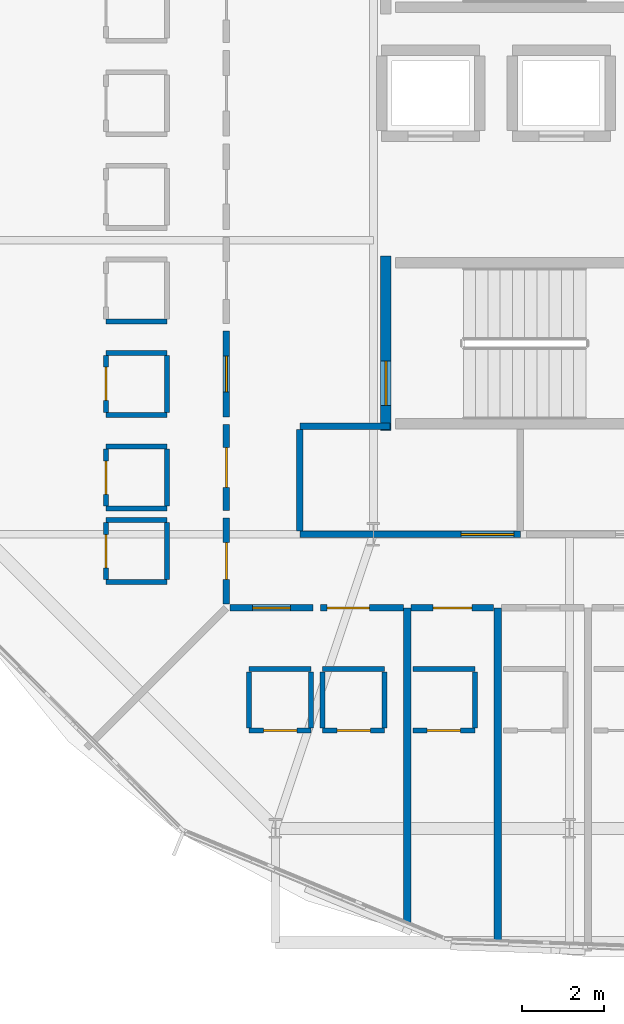
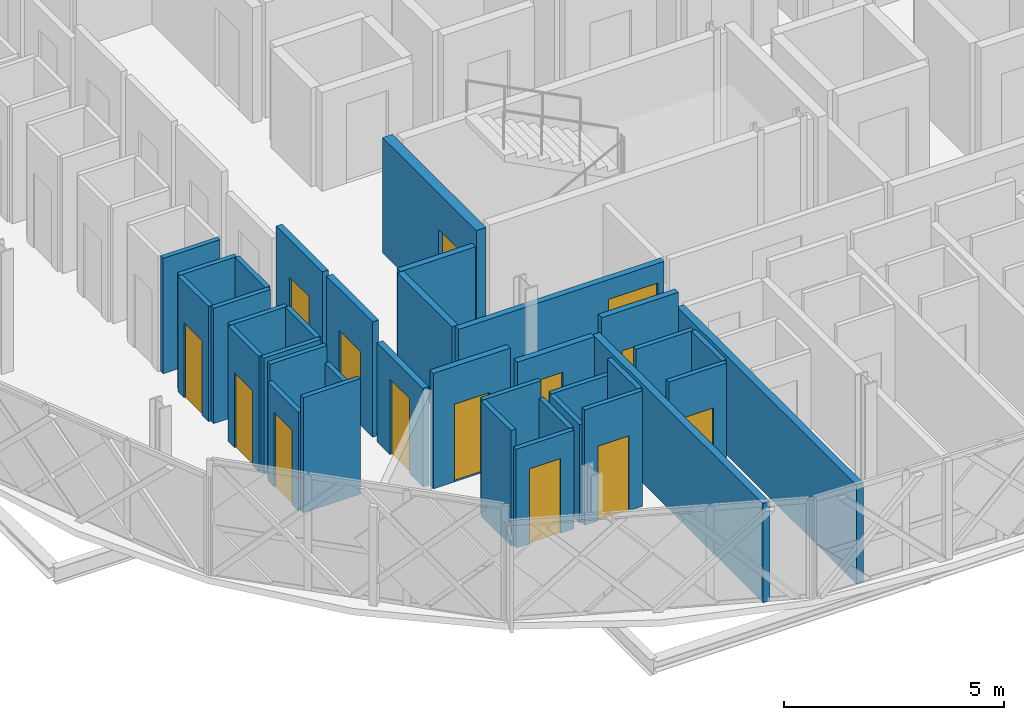
# One storey, part 28 of 40: 36 walls, 14 doors, 14 openings.
"""IFC4 building model written with IfcOpenShell, lengths in metres."""

from ifc_helpers import new_model, si_unit, direction, frame, frame_2d, origin, place, context, subcontext, project, spatial, rectangle, extrude, material, layer, layer_set, type_object, element, fill, save


model = new_model("IFC4")

# Units and contexts
model_context = context("Model", 3, precision=1e-05, world=origin(), true_north=direction((0.0, 1.0)))
body_context = subcontext(model_context, "Body", "Model", "MODEL_VIEW")
ifc_project = project(units=[si_unit("LENGTHUNIT", "METRE"), si_unit("AREAUNIT", "SQUARE_METRE"), si_unit("VOLUMEUNIT", "CUBIC_METRE"), si_unit("PLANEANGLEUNIT", "RADIAN"), si_unit("MASSUNIT", "GRAM", prefix="KILO")], contexts=[model_context])

# Site, building, storey
site_placement = place(None, origin())
site = spatial("IfcSite", under=ifc_project, at=site_placement, CompositionType="ELEMENT")
building_placement = place(site_placement, origin())
building = spatial("IfcBuilding", under=site, at=building_placement, Name="Zevrakil Square Congress Hotel", CompositionType="ELEMENT")
storey_placement = place(building_placement, frame((0.0, 0.0, 18.10009765625)))
storey = spatial("IfcBuildingStorey", under=building, at=storey_placement, Name="L05", CompositionType="ELEMENT", Elevation=18.10009765625)

# Wall, opening, door
ifc_material_1 = material(Name="Gypsum Acoustic Stud Partition")
ifc_layer_1 = layer(ifc_material_1, 0.159912109375)
ifc_layer_set_1 = layer_set([ifc_layer_1], Name="Gypsum Acoustic Stud Partition")
wall_type_1 = type_object("IfcWallType", Name="WAL-CORR-160", PredefinedType="PARTITIONING", material=ifc_layer_set_1)
wall_1_placement = place(storey_placement, frame((135.0, 16.800048828125, 0.0), z_axis=(0.0, 0.0, 1.0), x_axis=(1.0, 0.0, 0.0)))
wall_1 = element("IfcWall", 1, at=wall_1_placement, inside=storey, type_object=wall_type_1, Name="L05 interior partition PW-L05-0458", PredefinedType="PARTITIONING", context=body_context, shape_type="SweptSolid", body=[
    extrude(rectangle(XDim=5.39990234375, YDim=0.159912109375, at=frame_2d((2.699951171875, 0.0))), origin(), (0.0, 0.0, 1.0), 2.744873046875),
])
opening_1_placement = place(wall_1_placement, frame((3.93994140625, 0.0, 0.0)))
opening_1 = element("IfcOpeningElement", 2, at=opening_1_placement, cuts=wall_1, Name="Opening ID-08", PredefinedType="OPENING", context=body_context, shape_type="SweptSolid", body=[
    extrude(rectangle(XDim=1.300048828125, YDim=2.199951171875, at=frame_2d((0.64990234375, 1.10009765625))), frame((0.0, 0.08984375, 0.0), z_axis=(0.0, -1.0, 0.0), x_axis=(1.0, 0.0, 0.0)), (0.0, 0.0, 1.0), 0.179931640625),
])
ifc_material_2 = material(Name="Service Corridor Leaf-and-Half Door")
door_type_1 = type_object("IfcDoorType", Name="DOR-BOH-130", OperationType="NOTDEFINED", PredefinedType="DOOR", material=ifc_material_2)
door_1_placement = place(opening_1_placement, origin())
door_1 = element("IfcDoor", 3, at=door_1_placement, inside=storey, type_object=door_type_1, Name="L05 interior door 186", OperationType="SINGLE_SWING_RIGHT", OverallHeight=2.199951171875, OverallWidth=1.300048828125, PredefinedType="DOOR", context=body_context, shape_type="SweptSolid", body=[
    extrude(rectangle(XDim=1.300048828125, YDim=2.199951171875, at=frame_2d((0.64990234375, 1.10009765625))), frame((0.0, 0.02490234375, 0.0), z_axis=(0.0, -1.0, 0.0), x_axis=(1.0, 0.0, 0.0)), (0.0, 0.0, 1.0), 0.050048828125),
])
fill(opening_1, door_1)

# Walls
wall_2_placement = place(storey_placement, frame((135.0, 16.885009765625, 0.0), z_axis=(0.0, 0.0, 1.0), x_axis=(0.0, 1.0, 0.0)))
element("IfcWall", 4, at=wall_2_placement, inside=storey, type_object=wall_type_1, Name="L05 interior partition PW-L05-0459", PredefinedType="PARTITIONING", context=body_context, shape_type="SweptSolid", body=[
    extrude(rectangle(XDim=2.47998046875, YDim=0.159912109375, at=frame_2d((1.239990234375, 0.0))), origin(), (0.0, 0.0, 1.0), 2.744873046875),
])
wall_3_placement = place(storey_placement, frame((135.0, 19.449951171875, 0.0), z_axis=(0.0, 0.0, 1.0), x_axis=(1.0, 0.0, 0.0)))
element("IfcWall", 5, at=wall_3_placement, inside=storey, type_object=wall_type_1, Name="L05 interior partition PW-L05-0461", PredefinedType="PARTITIONING", context=body_context, shape_type="SweptSolid", body=[
    extrude(rectangle(XDim=2.199951171875, YDim=0.159912109375, at=frame_2d((1.10009765625, 0.0))), origin(), (0.0, 0.0, 1.0), 2.744873046875),
])

# Wall, opening, door
wall_4_placement = place(storey_placement, frame((133.294921875, 15.0, 0.0), z_axis=(0.0, 0.0, 1.0), x_axis=(1.0, 0.0, 0.0)))
wall_4 = element("IfcWall", 6, at=wall_4_placement, inside=storey, type_object=wall_type_1, Name="L05 interior partition PW-L05-0477", PredefinedType="PARTITIONING", context=body_context, shape_type="SweptSolid", body=[
    extrude(rectangle(XDim=2.023681640625, YDim=0.159912109375, at=frame_2d((1.01171875, 0.0))), origin(), (0.0, 0.0, 1.0), 3.2099609375),
])
opening_2_placement = place(wall_4_placement, frame((0.5498046875, 0.0, 0.0)))
opening_2 = element("IfcOpeningElement", 7, at=opening_2_placement, cuts=wall_4, Name="Opening ID-H07", PredefinedType="OPENING", context=body_context, shape_type="SweptSolid", body=[
    extrude(rectangle(XDim=0.924072265625, YDim=2.159912109375, at=frame_2d((0.4619140625, 1.080078125))), frame((0.0, 0.08984375, 0.0), z_axis=(0.0, -1.0, 0.0), x_axis=(1.0, 0.0, 0.0)), (0.0, 0.0, 1.0), 0.179931640625),
])
ifc_material_3 = material(Name="Acoustic Timber Fire Door", Category="wood")
door_type_2 = type_object("IfcDoorType", Name="DOR-INT-H07", OperationType="NOTDEFINED", PredefinedType="DOOR", material=ifc_material_3)
door_2_placement = place(opening_2_placement, origin())
door_2 = element("IfcDoor", 8, at=door_2_placement, inside=storey, type_object=door_type_2, Name="L05 interior door 192", OperationType="SINGLE_SWING_RIGHT", OverallHeight=2.159912109375, OverallWidth=0.924072265625, PredefinedType="DOOR", context=body_context, shape_type="SweptSolid", body=[
    extrude(rectangle(XDim=0.924072265625, YDim=2.159912109375, at=frame_2d((0.4619140625, 1.080078125))), frame((0.0, 0.02490234375, 0.0), z_axis=(0.0, -1.0, 0.0), x_axis=(1.0, 0.0, 0.0)), (0.0, 0.0, 1.0), 0.050048828125),
])
fill(opening_2, door_2)

wall_5_placement = place(storey_placement, frame((135.508544921875, 15.0, 0.0), z_axis=(0.0, 0.0, 1.0), x_axis=(1.0, 0.0, 0.0)))
wall_5 = element("IfcWall", 9, at=wall_5_placement, inside=storey, type_object=wall_type_1, Name="L05 interior partition PW-L05-0483", PredefinedType="PARTITIONING", context=body_context, shape_type="SweptSolid", body=[
    extrude(rectangle(XDim=2.023681640625, YDim=0.159912109375, at=frame_2d((1.01171875, 0.0))), origin(), (0.0, 0.0, 1.0), 2.744873046875),
])
opening_3_placement = place(wall_5_placement, frame((0.159912109375, 0.0, 0.0)))
opening_3 = element("IfcOpeningElement", 10, at=opening_3_placement, cuts=wall_5, Name="Opening ID-G08", PredefinedType="OPENING", context=body_context, shape_type="SweptSolid", body=[
    extrude(rectangle(XDim=1.030029296875, YDim=2.050048828125, at=frame_2d((0.51513671875, 1.02490234375))), frame((0.0, 0.08984375, 0.0), z_axis=(0.0, -1.0, 0.0), x_axis=(1.0, 0.0, 0.0)), (0.0, 0.0, 1.0), 0.179931640625),
])
ifc_material_4 = material(Name="Acoustic Timber Fire Door", Category="wood")
door_type_3 = type_object("IfcDoorType", Name="DOR-INT-G08", OperationType="NOTDEFINED", PredefinedType="DOOR", material=ifc_material_4)
door_3_placement = place(opening_3_placement, origin())
door_3 = element("IfcDoor", 11, at=door_3_placement, inside=storey, type_object=door_type_3, Name="L05 interior door 194", OperationType="SINGLE_SWING_RIGHT", OverallHeight=2.050048828125, OverallWidth=1.030029296875, PredefinedType="DOOR", context=body_context, shape_type="SweptSolid", body=[
    extrude(rectangle(XDim=1.030029296875, YDim=2.050048828125, at=frame_2d((0.51513671875, 1.02490234375))), frame((0.0, 0.02490234375, 0.0), z_axis=(0.0, -1.0, 0.0), x_axis=(1.0, 0.0, 0.0)), (0.0, 0.0, 1.0), 0.050048828125),
])
fill(opening_3, door_3)

wall_6_placement = place(storey_placement, frame((137.722412109375, 15.0, 0.0), z_axis=(0.0, 0.0, 1.0), x_axis=(1.0, 0.0, 0.0)))
wall_6 = element("IfcWall", 12, at=wall_6_placement, inside=storey, type_object=wall_type_1, Name="L05 interior partition PW-L05-0489", PredefinedType="PARTITIONING", context=body_context, shape_type="SweptSolid", body=[
    extrude(rectangle(XDim=2.0234375, YDim=0.159912109375, at=frame_2d((1.01171875, 0.0))), origin(), (0.0, 0.0, 1.0), 3.2099609375),
])
opening_4_placement = place(wall_6_placement, frame((0.537841796875, 0.0, 0.0)))
opening_4 = element("IfcOpeningElement", 13, at=opening_4_placement, cuts=wall_6, Name="Opening ID-H09", PredefinedType="OPENING", context=body_context, shape_type="SweptSolid", body=[
    extrude(rectangle(XDim=0.947998046875, YDim=2.10009765625, at=frame_2d((0.47412109375, 1.050048828125))), frame((0.0, 0.08984375, 0.0), z_axis=(0.0, -1.0, 0.0), x_axis=(1.0, 0.0, 0.0)), (0.0, 0.0, 1.0), 0.179931640625),
])
ifc_material_5 = material(Name="Acoustic Timber Fire Door", Category="wood")
door_type_4 = type_object("IfcDoorType", Name="DOR-INT-H09", OperationType="NOTDEFINED", PredefinedType="DOOR", material=ifc_material_5)
door_4_placement = place(opening_4_placement, origin())
door_4 = element("IfcDoor", 14, at=door_4_placement, inside=storey, type_object=door_type_4, Name="L05 interior door 196", OperationType="SINGLE_SWING_RIGHT", OverallHeight=2.10009765625, OverallWidth=0.947998046875, PredefinedType="DOOR", context=body_context, shape_type="SweptSolid", body=[
    extrude(rectangle(XDim=0.947998046875, YDim=2.10009765625, at=frame_2d((0.47412109375, 1.050048828125))), frame((0.0, 0.02490234375, 0.0), z_axis=(0.0, -1.0, 0.0), x_axis=(1.0, 0.0, 0.0)), (0.0, 0.0, 1.0), 0.050048828125),
])
fill(opening_4, door_4)

wall_7_placement = place(storey_placement, frame((133.199951171875, 19.6767578125, 0.0), z_axis=(0.0, 0.0, 1.0), x_axis=(0.0, 1.0, 0.0)))
wall_7 = element("IfcWall", 15, at=wall_7_placement, inside=storey, type_object=wall_type_1, Name="L05 interior partition PW-L05-0672", PredefinedType="PARTITIONING", context=body_context, shape_type="SweptSolid", body=[
    extrude(rectangle(XDim=2.100830078125, YDim=0.159912109375, at=frame_2d((1.05029296875, 0.0))), origin(), (0.0, 0.0, 1.0), 3.2099609375),
])
opening_5_placement = place(wall_7_placement, frame((0.6123046875, 0.0, 0.0)))
opening_5 = element("IfcOpeningElement", 16, at=opening_5_placement, cuts=wall_7, Name="Opening ID-H03", PredefinedType="OPENING", context=body_context, shape_type="SweptSolid", body=[
    extrude(rectangle(XDim=0.8759765625, YDim=2.159912109375, at=frame_2d((0.43798828125, 1.080078125))), frame((0.0, 0.08984375, 0.0), z_axis=(0.0, -1.0, 0.0), x_axis=(1.0, 0.0, 0.0)), (0.0, 0.0, 1.0), 0.179931640625),
])
ifc_material_6 = material(Name="Acoustic Timber Fire Door", Category="wood")
door_type_5 = type_object("IfcDoorType", Name="DOR-INT-H03", OperationType="NOTDEFINED", PredefinedType="DOOR", material=ifc_material_6)
door_5_placement = place(opening_5_placement, origin())
door_5 = element("IfcDoor", 17, at=door_5_placement, inside=storey, type_object=door_type_5, Name="L05 interior door 268", OperationType="SINGLE_SWING_RIGHT", OverallHeight=2.159912109375, OverallWidth=0.8759765625, PredefinedType="DOOR", context=body_context, shape_type="SweptSolid", body=[
    extrude(rectangle(XDim=0.8759765625, YDim=2.159912109375, at=frame_2d((0.43798828125, 1.080078125))), frame((0.0, 0.02490234375, 0.0), z_axis=(0.0, -1.0, 0.0), x_axis=(1.0, 0.0, 0.0)), (0.0, 0.0, 1.0), 0.050048828125),
])
fill(opening_5, door_5)

wall_8_placement = place(storey_placement, frame((133.199951171875, 17.385986328125, 0.0), z_axis=(0.0, 0.0, 1.0), x_axis=(0.0, 1.0, 0.0)))
wall_8 = element("IfcWall", 18, at=wall_8_placement, inside=storey, type_object=wall_type_1, Name="L05 interior partition PW-L05-0677", PredefinedType="PARTITIONING", context=body_context, shape_type="SweptSolid", body=[
    extrude(rectangle(XDim=2.100830078125, YDim=0.159912109375, at=frame_2d((1.05029296875, 0.0))), origin(), (0.0, 0.0, 1.0), 3.2099609375),
])
opening_6_placement = place(wall_8_placement, frame((0.560302734375, 0.0, 0.0)))
opening_6 = element("IfcOpeningElement", 19, at=opening_6_placement, cuts=wall_8, Name="Opening ID-G06", PredefinedType="OPENING", context=body_context, shape_type="SweptSolid", body=[
    extrude(rectangle(XDim=0.97998046875, YDim=2.050048828125, at=frame_2d((0.489990234375, 1.02490234375))), frame((0.0, 0.08984375, 0.0), z_axis=(0.0, -1.0, 0.0), x_axis=(1.0, 0.0, 0.0)), (0.0, 0.0, 1.0), 0.179931640625),
])
ifc_material_7 = material(Name="Acoustic Timber Fire Door", Category="wood")
door_type_6 = type_object("IfcDoorType", Name="DOR-INT-G06", OperationType="NOTDEFINED", PredefinedType="DOOR", material=ifc_material_7)
door_6_placement = place(opening_6_placement, origin())
door_6 = element("IfcDoor", 20, at=door_6_placement, inside=storey, type_object=door_type_6, Name="L05 interior door 270", OperationType="SINGLE_SWING_RIGHT", OverallHeight=2.050048828125, OverallWidth=0.97998046875, PredefinedType="DOOR", context=body_context, shape_type="SweptSolid", body=[
    extrude(rectangle(XDim=0.97998046875, YDim=2.050048828125, at=frame_2d((0.489990234375, 1.02490234375))), frame((0.0, 0.02490234375, 0.0), z_axis=(0.0, -1.0, 0.0), x_axis=(1.0, 0.0, 0.0)), (0.0, 0.0, 1.0), 0.050048828125),
])
fill(opening_6, door_6)

wall_9_placement = place(storey_placement, frame((133.199951171875, 15.094970703125, 0.0), z_axis=(0.0, 0.0, 1.0), x_axis=(0.0, 1.0, 0.0)))
wall_9 = element("IfcWall", 21, at=wall_9_placement, inside=storey, type_object=wall_type_1, Name="L05 interior partition PW-L05-0682", PredefinedType="PARTITIONING", context=body_context, shape_type="SweptSolid", body=[
    extrude(rectangle(XDim=2.100830078125, YDim=0.159912109375, at=frame_2d((1.05029296875, 0.0))), origin(), (0.0, 0.0, 1.0), 2.744873046875),
])
opening_7_placement = place(wall_9_placement, frame((0.6005859375, 0.0, 0.0)))
opening_7 = element("IfcOpeningElement", 22, at=opening_7_placement, cuts=wall_9, Name="Opening ID-H05", PredefinedType="OPENING", context=body_context, shape_type="SweptSolid", body=[
    extrude(rectangle(XDim=0.89990234375, YDim=2.10009765625, at=frame_2d((0.449951171875, 1.050048828125))), frame((0.0, 0.08984375, 0.0), z_axis=(0.0, -1.0, 0.0), x_axis=(1.0, 0.0, 0.0)), (0.0, 0.0, 1.0), 0.179931640625),
])
ifc_material_8 = material(Name="Acoustic Timber Fire Door", Category="wood")
door_type_7 = type_object("IfcDoorType", Name="DOR-INT-H05", OperationType="NOTDEFINED", PredefinedType="DOOR", material=ifc_material_8)
door_7_placement = place(opening_7_placement, origin())
door_7 = element("IfcDoor", 23, at=door_7_placement, inside=storey, type_object=door_type_7, Name="L05 interior door 272", OperationType="SINGLE_SWING_RIGHT", OverallHeight=2.10009765625, OverallWidth=0.89990234375, PredefinedType="DOOR", context=body_context, shape_type="SweptSolid", body=[
    extrude(rectangle(XDim=0.89990234375, YDim=2.10009765625, at=frame_2d((0.449951171875, 1.050048828125))), frame((0.0, 0.02490234375, 0.0), z_axis=(0.0, -1.0, 0.0), x_axis=(1.0, 0.0, 0.0)), (0.0, 0.0, 1.0), 0.050048828125),
])
fill(opening_7, door_7)

ifc_material_9 = material(Name="Moisture-Resistant Gypsum Partition")
ifc_layer_2 = layer(ifc_material_9, 0.1201171875)
ifc_layer_set_2 = layer_set([ifc_layer_2], Name="Moisture-Resistant Gypsum Partition")
wall_type_2 = type_object("IfcWallType", Name="WAL-ENS-120", PredefinedType="PARTITIONING", material=ifc_layer_set_2)
wall_10_placement = place(storey_placement, frame((133.753662109375, 12.0, 0.0), z_axis=(0.0, 0.0, 1.0), x_axis=(1.0, 0.0, 0.0)))
wall_10 = element("IfcWall", 24, at=wall_10_placement, inside=storey, type_object=wall_type_2, Name="L05 interior partition PW-L05-0478", PredefinedType="PARTITIONING", context=body_context, shape_type="SweptSolid", body=[
    extrude(rectangle(XDim=1.52001953125, YDim=0.1201171875, at=frame_2d((0.760009765625, 0.0))), origin(), (0.0, 0.0, 1.0), 2.744873046875),
])
opening_8_placement = place(wall_10_placement, frame((0.35009765625, 0.0, 0.0)))
opening_8 = element("IfcOpeningElement", 25, at=opening_8_placement, cuts=wall_10, Name="Opening ID-11", PredefinedType="OPENING", context=body_context, shape_type="SweptSolid", body=[
    extrude(rectangle(XDim=0.820068359375, YDim=2.080078125, at=frame_2d((0.41015625, 1.0400390625))), frame((0.0, 0.070068359375, 0.0), z_axis=(0.0, -1.0, 0.0), x_axis=(1.0, 0.0, 0.0)), (0.0, 0.0, 1.0), 0.14013671875),
])
ifc_material_10 = material(Name="Acoustic Timber Door", Category="wood")
door_type_8 = type_object("IfcDoorType", Name="DOR-INT-V01", OperationType="NOTDEFINED", PredefinedType="DOOR", material=ifc_material_10)
door_8_placement = place(opening_8_placement, origin())
door_8 = element("IfcDoor", 26, at=door_8_placement, inside=storey, type_object=door_type_8, Name="L05 interior door 193", OperationType="SINGLE_SWING_LEFT", OverallHeight=2.080078125, OverallWidth=0.820068359375, PredefinedType="DOOR", context=body_context, shape_type="SweptSolid", body=[
    extrude(rectangle(XDim=0.820068359375, YDim=2.080078125, at=frame_2d((0.41015625, 1.0400390625))), frame((0.0, 0.02490234375, 0.0), z_axis=(0.0, -1.0, 0.0), x_axis=(1.0, 0.0, 0.0)), (0.0, 0.0, 1.0), 0.050048828125),
])
fill(opening_8, door_8)

# Walls
wall_11_placement = place(storey_placement, frame((133.753662109375, 13.5, 0.0), z_axis=(0.0, 0.0, 1.0), x_axis=(1.0, 0.0, 0.0)))
element("IfcWall", 27, at=wall_11_placement, inside=storey, type_object=wall_type_2, Name="L05 interior partition PW-L05-0479", PredefinedType="PARTITIONING", context=body_context, shape_type="SweptSolid", body=[
    extrude(rectangle(XDim=1.52001953125, YDim=0.1201171875, at=frame_2d((0.760009765625, 0.0))), origin(), (0.0, 0.0, 1.0), 3.2099609375),
])
wall_12_placement = place(storey_placement, frame((133.753662109375, 12.06494140625, 0.0), z_axis=(0.0, 0.0, 1.0), x_axis=(0.0, 1.0, 0.0)))
element("IfcWall", 28, at=wall_12_placement, inside=storey, type_object=wall_type_2, Name="L05 interior partition PW-L05-0480", PredefinedType="PARTITIONING", context=body_context, shape_type="SweptSolid", body=[
    extrude(rectangle(XDim=1.3701171875, YDim=0.1201171875, at=frame_2d((0.68505859375, 0.0))), origin(), (0.0, 0.0, 1.0), 3.2099609375),
])
wall_13_placement = place(storey_placement, frame((135.273681640625, 12.06494140625, 0.0), z_axis=(0.0, 0.0, 1.0), x_axis=(0.0, 1.0, 0.0)))
element("IfcWall", 29, at=wall_13_placement, inside=storey, type_object=wall_type_2, Name="L05 interior partition PW-L05-0481", PredefinedType="PARTITIONING", context=body_context, shape_type="SweptSolid", body=[
    extrude(rectangle(XDim=1.3701171875, YDim=0.1201171875, at=frame_2d((0.68505859375, 0.0))), origin(), (0.0, 0.0, 1.0), 2.744873046875),
])

# Wall, opening, door
wall_14_placement = place(storey_placement, frame((135.5537109375, 12.0, 0.0), z_axis=(0.0, 0.0, 1.0), x_axis=(1.0, 0.0, 0.0)))
wall_14 = element("IfcWall", 30, at=wall_14_placement, inside=storey, type_object=wall_type_2, Name="L05 interior partition PW-L05-0484", PredefinedType="PARTITIONING", context=body_context, shape_type="SweptSolid", body=[
    extrude(rectangle(XDim=1.519775390625, YDim=0.1201171875, at=frame_2d((0.759765625, 0.0))), origin(), (0.0, 0.0, 1.0), 3.2099609375),
])
opening_9_placement = place(wall_14_placement, frame((0.35009765625, 0.0, 0.0)))
opening_9 = element("IfcOpeningElement", 31, at=opening_9_placement, cuts=wall_14, Name="Opening ID-11", PredefinedType="OPENING", context=body_context, shape_type="SweptSolid", body=[
    extrude(rectangle(XDim=0.820068359375, YDim=2.080078125, at=frame_2d((0.41015625, 1.0400390625))), frame((0.0, 0.070068359375, 0.0), z_axis=(0.0, -1.0, 0.0), x_axis=(1.0, 0.0, 0.0)), (0.0, 0.0, 1.0), 0.14013671875),
])
door_9_placement = place(opening_9_placement, origin())
door_9 = element("IfcDoor", 32, at=door_9_placement, inside=storey, type_object=door_type_8, Name="L05 interior door 195", OperationType="SINGLE_SWING_LEFT", OverallHeight=2.080078125, OverallWidth=0.820068359375, PredefinedType="DOOR", context=body_context, shape_type="SweptSolid", body=[
    extrude(rectangle(XDim=0.820068359375, YDim=2.080078125, at=frame_2d((0.41015625, 1.0400390625))), frame((0.0, 0.02490234375, 0.0), z_axis=(0.0, -1.0, 0.0), x_axis=(1.0, 0.0, 0.0)), (0.0, 0.0, 1.0), 0.050048828125),
])
fill(opening_9, door_9)

# Walls
wall_15_placement = place(storey_placement, frame((135.5537109375, 13.5, 0.0), z_axis=(0.0, 0.0, 1.0), x_axis=(1.0, 0.0, 0.0)))
element("IfcWall", 33, at=wall_15_placement, inside=storey, type_object=wall_type_2, Name="L05 interior partition PW-L05-0485", PredefinedType="PARTITIONING", context=body_context, shape_type="SweptSolid", body=[
    extrude(rectangle(XDim=1.519775390625, YDim=0.1201171875, at=frame_2d((0.759765625, 0.0))), origin(), (0.0, 0.0, 1.0), 2.744873046875),
])
wall_16_placement = place(storey_placement, frame((135.5537109375, 12.06494140625, 0.0), z_axis=(0.0, 0.0, 1.0), x_axis=(0.0, 1.0, 0.0)))
element("IfcWall", 34, at=wall_16_placement, inside=storey, type_object=wall_type_2, Name="L05 interior partition PW-L05-0486", PredefinedType="PARTITIONING", context=body_context, shape_type="SweptSolid", body=[
    extrude(rectangle(XDim=1.3701171875, YDim=0.1201171875, at=frame_2d((0.68505859375, 0.0))), origin(), (0.0, 0.0, 1.0), 2.744873046875),
])
wall_17_placement = place(storey_placement, frame((137.073486328125, 12.06494140625, 0.0), z_axis=(0.0, 0.0, 1.0), x_axis=(0.0, 1.0, 0.0)))
element("IfcWall", 35, at=wall_17_placement, inside=storey, type_object=wall_type_2, Name="L05 interior partition PW-L05-0487", PredefinedType="PARTITIONING", context=body_context, shape_type="SweptSolid", body=[
    extrude(rectangle(XDim=1.3701171875, YDim=0.1201171875, at=frame_2d((0.68505859375, 0.0))), origin(), (0.0, 0.0, 1.0), 3.2099609375),
])

# Wall, opening, door
wall_18_placement = place(storey_placement, frame((137.767333984375, 12.0, 0.0), z_axis=(0.0, 0.0, 1.0), x_axis=(1.0, 0.0, 0.0)))
wall_18 = element("IfcWall", 36, at=wall_18_placement, inside=storey, type_object=wall_type_2, Name="L05 interior partition PW-L05-0490", PredefinedType="PARTITIONING", context=body_context, shape_type="SweptSolid", body=[
    extrude(rectangle(XDim=1.52001953125, YDim=0.1201171875, at=frame_2d((0.760009765625, 0.0))), origin(), (0.0, 0.0, 1.0), 3.2099609375),
])
opening_10_placement = place(wall_18_placement, frame((0.35009765625, 0.0, 0.0)))
opening_10 = element("IfcOpeningElement", 37, at=opening_10_placement, cuts=wall_18, Name="Opening ID-11", PredefinedType="OPENING", context=body_context, shape_type="SweptSolid", body=[
    extrude(rectangle(XDim=0.820068359375, YDim=2.080078125, at=frame_2d((0.41015625, 1.0400390625))), frame((0.0, 0.070068359375, 0.0), z_axis=(0.0, -1.0, 0.0), x_axis=(1.0, 0.0, 0.0)), (0.0, 0.0, 1.0), 0.14013671875),
])
door_10_placement = place(opening_10_placement, origin())
door_10 = element("IfcDoor", 38, at=door_10_placement, inside=storey, type_object=door_type_8, Name="L05 interior door 197", OperationType="SINGLE_SWING_LEFT", OverallHeight=2.080078125, OverallWidth=0.820068359375, PredefinedType="DOOR", context=body_context, shape_type="SweptSolid", body=[
    extrude(rectangle(XDim=0.820068359375, YDim=2.080078125, at=frame_2d((0.41015625, 1.0400390625))), frame((0.0, 0.02490234375, 0.0), z_axis=(0.0, -1.0, 0.0), x_axis=(1.0, 0.0, 0.0)), (0.0, 0.0, 1.0), 0.050048828125),
])
fill(opening_10, door_10)

# Walls
wall_19_placement = place(storey_placement, frame((137.767333984375, 13.5, 0.0), z_axis=(0.0, 0.0, 1.0), x_axis=(1.0, 0.0, 0.0)))
element("IfcWall", 39, at=wall_19_placement, inside=storey, type_object=wall_type_2, Name="L05 interior partition PW-L05-0491", PredefinedType="PARTITIONING", context=body_context, shape_type="SweptSolid", body=[
    extrude(rectangle(XDim=1.52001953125, YDim=0.1201171875, at=frame_2d((0.760009765625, 0.0))), origin(), (0.0, 0.0, 1.0), 3.2099609375),
])
wall_20_placement = place(storey_placement, frame((139.287353515625, 12.06494140625, 0.0), z_axis=(0.0, 0.0, 1.0), x_axis=(0.0, 1.0, 0.0)))
element("IfcWall", 40, at=wall_20_placement, inside=storey, type_object=wall_type_2, Name="L05 interior partition PW-L05-0492", PredefinedType="PARTITIONING", context=body_context, shape_type="SweptSolid", body=[
    extrude(rectangle(XDim=1.3701171875, YDim=0.1201171875, at=frame_2d((0.68505859375, 0.0))), origin(), (0.0, 0.0, 1.0), 3.2099609375),
])
for number, where, z_axis, x_axis, name in (
    (41, (130.25, 22.0126953125, 0.0), (0.0, 0.0, 1.0), (1.0, 0.0, 0.0), "L05 interior partition PW-L05-0668"),
    (42, (130.25, 19.7216796875, 0.0), (0.0, 0.0, 1.0), (1.0, 0.0, 0.0), "L05 interior partition PW-L05-0673"),
    (43, (130.25, 21.24169921875, 0.0), (0.0, 0.0, 1.0), (1.0, 0.0, 0.0), "L05 interior partition PW-L05-0674"),
):
    element("IfcWall", number, at=place(storey_placement, frame(where, z_axis=z_axis, x_axis=x_axis)), inside=storey, type_object=wall_type_2, Name=name, PredefinedType="PARTITIONING", context=body_context, shape_type="SweptSolid", body=[
        extrude(rectangle(XDim=1.5, YDim=0.1201171875, at=frame_2d((0.75, 0.0))), origin(), (0.0, 0.0, 1.0), 3.2099609375),
    ])

# Wall, opening, door
wall_21_placement = place(storey_placement, frame((130.25, 19.786865234375, 0.0), z_axis=(0.0, 0.0, 1.0), x_axis=(0.0, 1.0, 0.0)))
wall_21 = element("IfcWall", 44, at=wall_21_placement, inside=storey, type_object=wall_type_2, Name="L05 interior partition PW-L05-0675", PredefinedType="PARTITIONING", context=body_context, shape_type="SweptSolid", body=[
    extrude(rectangle(XDim=1.389892578125, YDim=0.1201171875, at=frame_2d((0.69482421875, 0.0))), origin(), (0.0, 0.0, 1.0), 3.2099609375),
])
opening_11_placement = place(wall_21_placement, frame((0.284912109375, 0.0, 0.0)))
opening_11 = element("IfcOpeningElement", 45, at=opening_11_placement, cuts=wall_21, Name="Opening ID-11", PredefinedType="OPENING", context=body_context, shape_type="SweptSolid", body=[
    extrude(rectangle(XDim=0.820068359375, YDim=2.080078125, at=frame_2d((0.41015625, 1.0400390625))), frame((0.0, 0.070068359375, 0.0), z_axis=(0.0, -1.0, 0.0), x_axis=(1.0, 0.0, 0.0)), (0.0, 0.0, 1.0), 0.14013671875),
])
door_11_placement = place(opening_11_placement, origin())
door_11 = element("IfcDoor", 46, at=door_11_placement, inside=storey, type_object=door_type_8, Name="L05 interior door 269", OperationType="SINGLE_SWING_LEFT", OverallHeight=2.080078125, OverallWidth=0.820068359375, PredefinedType="DOOR", context=body_context, shape_type="SweptSolid", body=[
    extrude(rectangle(XDim=0.820068359375, YDim=2.080078125, at=frame_2d((0.41015625, 1.0400390625))), frame((0.0, 0.02490234375, 0.0), z_axis=(0.0, -1.0, 0.0), x_axis=(1.0, 0.0, 0.0)), (0.0, 0.0, 1.0), 0.050048828125),
])
fill(opening_11, door_11)

# Walls
wall_22_placement = place(storey_placement, frame((131.75, 19.786865234375, 0.0), z_axis=(0.0, 0.0, 1.0), x_axis=(0.0, 1.0, 0.0)))
element("IfcWall", 47, at=wall_22_placement, inside=storey, type_object=wall_type_2, Name="L05 interior partition PW-L05-0676", PredefinedType="PARTITIONING", context=body_context, shape_type="SweptSolid", body=[
    extrude(rectangle(XDim=1.389892578125, YDim=0.1201171875, at=frame_2d((0.69482421875, 0.0))), origin(), (0.0, 0.0, 1.0), 3.2099609375),
])
for number, where, z_axis, x_axis, name in (
    (48, (130.25, 17.430908203125, 0.0), (0.0, 0.0, 1.0), (1.0, 0.0, 0.0), "L05 interior partition PW-L05-0678"),
    (49, (130.25, 18.950927734375, 0.0), (0.0, 0.0, 1.0), (1.0, 0.0, 0.0), "L05 interior partition PW-L05-0679"),
):
    element("IfcWall", number, at=place(storey_placement, frame(where, z_axis=z_axis, x_axis=x_axis)), inside=storey, type_object=wall_type_2, Name=name, PredefinedType="PARTITIONING", context=body_context, shape_type="SweptSolid", body=[
        extrude(rectangle(XDim=1.5, YDim=0.1201171875, at=frame_2d((0.75, 0.0))), origin(), (0.0, 0.0, 1.0), 3.2099609375),
    ])

# Wall, opening, door
wall_23_placement = place(storey_placement, frame((130.25, 17.495849609375, 0.0), z_axis=(0.0, 0.0, 1.0), x_axis=(0.0, 1.0, 0.0)))
wall_23 = element("IfcWall", 50, at=wall_23_placement, inside=storey, type_object=wall_type_2, Name="L05 interior partition PW-L05-0680", PredefinedType="PARTITIONING", context=body_context, shape_type="SweptSolid", body=[
    extrude(rectangle(XDim=1.39013671875, YDim=0.1201171875, at=frame_2d((0.695068359375, 0.0))), origin(), (0.0, 0.0, 1.0), 3.2099609375),
])
opening_12_placement = place(wall_23_placement, frame((0.284912109375, 0.0, 0.0)))
opening_12 = element("IfcOpeningElement", 51, at=opening_12_placement, cuts=wall_23, Name="Opening ID-11", PredefinedType="OPENING", context=body_context, shape_type="SweptSolid", body=[
    extrude(rectangle(XDim=0.820068359375, YDim=2.080078125, at=frame_2d((0.41015625, 1.0400390625))), frame((0.0, 0.070068359375, 0.0), z_axis=(0.0, -1.0, 0.0), x_axis=(1.0, 0.0, 0.0)), (0.0, 0.0, 1.0), 0.14013671875),
])
door_12_placement = place(opening_12_placement, origin())
door_12 = element("IfcDoor", 52, at=door_12_placement, inside=storey, type_object=door_type_8, Name="L05 interior door 271", OperationType="SINGLE_SWING_LEFT", OverallHeight=2.080078125, OverallWidth=0.820068359375, PredefinedType="DOOR", context=body_context, shape_type="SweptSolid", body=[
    extrude(rectangle(XDim=0.820068359375, YDim=2.080078125, at=frame_2d((0.41015625, 1.0400390625))), frame((0.0, 0.02490234375, 0.0), z_axis=(0.0, -1.0, 0.0), x_axis=(1.0, 0.0, 0.0)), (0.0, 0.0, 1.0), 0.050048828125),
])
fill(opening_12, door_12)

# Walls
wall_24_placement = place(storey_placement, frame((131.75, 17.495849609375, 0.0), z_axis=(0.0, 0.0, 1.0), x_axis=(0.0, 1.0, 0.0)))
element("IfcWall", 53, at=wall_24_placement, inside=storey, type_object=wall_type_2, Name="L05 interior partition PW-L05-0681", PredefinedType="PARTITIONING", context=body_context, shape_type="SweptSolid", body=[
    extrude(rectangle(XDim=1.39013671875, YDim=0.1201171875, at=frame_2d((0.695068359375, 0.0))), origin(), (0.0, 0.0, 1.0), 3.2099609375),
])
for number, where, z_axis, x_axis, name in (
    (54, (130.25, 15.630859375, 0.0), (0.0, 0.0, 1.0), (1.0, 0.0, 0.0), "L05 interior partition PW-L05-0683"),
    (55, (130.25, 17.15087890625, 0.0), (0.0, 0.0, 1.0), (1.0, 0.0, 0.0), "L05 interior partition PW-L05-0684"),
):
    element("IfcWall", number, at=place(storey_placement, frame(where, z_axis=z_axis, x_axis=x_axis)), inside=storey, type_object=wall_type_2, Name=name, PredefinedType="PARTITIONING", context=body_context, shape_type="SweptSolid", body=[
        extrude(rectangle(XDim=1.5, YDim=0.1201171875, at=frame_2d((0.75, 0.0))), origin(), (0.0, 0.0, 1.0), 3.2099609375),
    ])

# Wall, opening, door
wall_25_placement = place(storey_placement, frame((130.25, 15.69580078125, 0.0), z_axis=(0.0, 0.0, 1.0), x_axis=(0.0, 1.0, 0.0)))
wall_25 = element("IfcWall", 56, at=wall_25_placement, inside=storey, type_object=wall_type_2, Name="L05 interior partition PW-L05-0685", PredefinedType="PARTITIONING", context=body_context, shape_type="SweptSolid", body=[
    extrude(rectangle(XDim=1.39013671875, YDim=0.1201171875, at=frame_2d((0.695068359375, 0.0))), origin(), (0.0, 0.0, 1.0), 2.744873046875),
])
opening_13_placement = place(wall_25_placement, frame((0.284912109375, 0.0, 0.0)))
opening_13 = element("IfcOpeningElement", 57, at=opening_13_placement, cuts=wall_25, Name="Opening ID-11", PredefinedType="OPENING", context=body_context, shape_type="SweptSolid", body=[
    extrude(rectangle(XDim=0.820068359375, YDim=2.080078125, at=frame_2d((0.41015625, 1.0400390625))), frame((0.0, 0.070068359375, 0.0), z_axis=(0.0, -1.0, 0.0), x_axis=(1.0, 0.0, 0.0)), (0.0, 0.0, 1.0), 0.14013671875),
])
door_13_placement = place(opening_13_placement, origin())
door_13 = element("IfcDoor", 58, at=door_13_placement, inside=storey, type_object=door_type_8, Name="L05 interior door 273", OperationType="SINGLE_SWING_LEFT", OverallHeight=2.080078125, OverallWidth=0.820068359375, PredefinedType="DOOR", context=body_context, shape_type="SweptSolid", body=[
    extrude(rectangle(XDim=0.820068359375, YDim=2.080078125, at=frame_2d((0.41015625, 1.0400390625))), frame((0.0, 0.02490234375, 0.0), z_axis=(0.0, -1.0, 0.0), x_axis=(1.0, 0.0, 0.0)), (0.0, 0.0, 1.0), 0.050048828125),
])
fill(opening_13, door_13)

# Walls
wall_26_placement = place(storey_placement, frame((131.75, 15.69580078125, 0.0), z_axis=(0.0, 0.0, 1.0), x_axis=(0.0, 1.0, 0.0)))
element("IfcWall", 59, at=wall_26_placement, inside=storey, type_object=wall_type_2, Name="L05 interior partition PW-L05-0686", PredefinedType="PARTITIONING", context=body_context, shape_type="SweptSolid", body=[
    extrude(rectangle(XDim=1.39013671875, YDim=0.1201171875, at=frame_2d((0.695068359375, 0.0))), origin(), (0.0, 0.0, 1.0), 2.744873046875),
])
ifc_material_11 = material(Name="Gypsum Twin-Stud Party Partition")
ifc_layer_3 = layer(ifc_material_11, 0.179931640625)
ifc_layer_set_3 = layer_set([ifc_layer_3], Name="Gypsum Twin-Stud Party Partition")
wall_type_3 = type_object("IfcWallType", Name="WAL-PARTY-180", PredefinedType="PARTITIONING", material=ifc_layer_set_3)
wall_27_placement = place(storey_placement, frame((137.627197265625, 7.24609375, 0.0), z_axis=(0.0, 0.0, 1.0), x_axis=(0.0, 1.0, 0.0)))
element("IfcWall", 60, at=wall_27_placement, inside=storey, type_object=wall_type_3, Name="L05 interior partition PW-L05-0488", PredefinedType="PARTITIONING", context=body_context, shape_type="SweptSolid", body=[
    extrude(rectangle(XDim=7.75390625, YDim=0.179931640625, at=frame_2d((3.876953125, 0.0))), origin(), (0.0, 0.0, 1.0), 2.7548828125),
])
wall_28_placement = place(storey_placement, frame((139.8408203125, 6.82275390625, 0.0), z_axis=(0.0, 0.0, 1.0), x_axis=(0.0, 1.0, 0.0)))
element("IfcWall", 61, at=wall_28_placement, inside=storey, type_object=wall_type_3, Name="L05 interior partition PW-L05-0493", PredefinedType="PARTITIONING", context=body_context, shape_type="SweptSolid", body=[
    extrude(rectangle(XDim=8.17724609375, YDim=0.179931640625, at=frame_2d((4.088623046875, 0.0))), origin(), (0.0, 0.0, 1.0), 2.7548828125),
])

# Wall, opening, door
ifc_material_12 = material(Name="Concrete C40/50", Category="concrete")
ifc_layer_4 = layer(ifc_material_12, 0.260009765625)
ifc_layer_set_4 = layer_set([ifc_layer_4], Name="Concrete C40/50")
wall_type_4 = type_object("IfcWallType", Name="WAL-SHAFT-260", PredefinedType="SHEAR", material=ifc_layer_set_4)
wall_29_placement = place(storey_placement, frame((137.10498046875, 19.340087890625, 0.0), z_axis=(0.0, 0.0, 1.0), x_axis=(0.0, 1.0, 0.0)))
wall_29 = element("IfcWall", 62, at=wall_29_placement, inside=storey, type_object=wall_type_4, Name="L05 ST01 stair shaft W wall", PredefinedType="SHEAR", context=body_context, shape_type="SweptSolid", body=[
    extrude(rectangle(XDim=4.27001953125, YDim=0.260009765625, at=frame_2d((2.135009765625, 0.0))), origin(), (0.0, 0.0, 1.0), 3.2099609375),
])
opening_14_placement = place(wall_29_placement, frame((0.610107421875, 0.0, 0.0)))
opening_14 = element("IfcOpeningElement", 63, at=opening_14_placement, cuts=wall_29, Name="Opening SD-ST01", PredefinedType="OPENING", context=body_context, shape_type="SweptSolid", body=[
    extrude(rectangle(XDim=1.10009765625, YDim=2.199951171875, at=frame_2d((0.550048828125, 1.10009765625))), frame((0.0, 0.14013671875, 0.0), z_axis=(0.0, -1.0, 0.0), x_axis=(1.0, 0.0, 0.0)), (0.0, 0.0, 1.0), 0.280029296875),
])
ifc_material_13 = material(Name="Steel S355 Fire-Rated Door", Category="steel")
door_type_9 = type_object("IfcDoorType", Name="DOR-STAIR-FD90-110", OperationType="NOTDEFINED", PredefinedType="DOOR", material=ifc_material_13)
door_14_placement = place(opening_14_placement, origin())
door_14 = element("IfcDoor", 64, at=door_14_placement, inside=storey, type_object=door_type_9, Name="L05 ST01 protected stair fire door", OperationType="SINGLE_SWING_RIGHT", OverallHeight=2.199951171875, OverallWidth=1.10009765625, PredefinedType="DOOR", context=body_context, shape_type="SweptSolid", body=[
    extrude(rectangle(XDim=1.10009765625, YDim=2.199951171875, at=frame_2d((0.550048828125, 1.10009765625))), frame((0.0, 0.02490234375, 0.0), z_axis=(0.0, -1.0, 0.0), x_axis=(1.0, 0.0, 0.0)), (0.0, 0.0, 1.0), 0.050048828125),
])
fill(opening_14, door_14)

save(model, "model.ifc")
